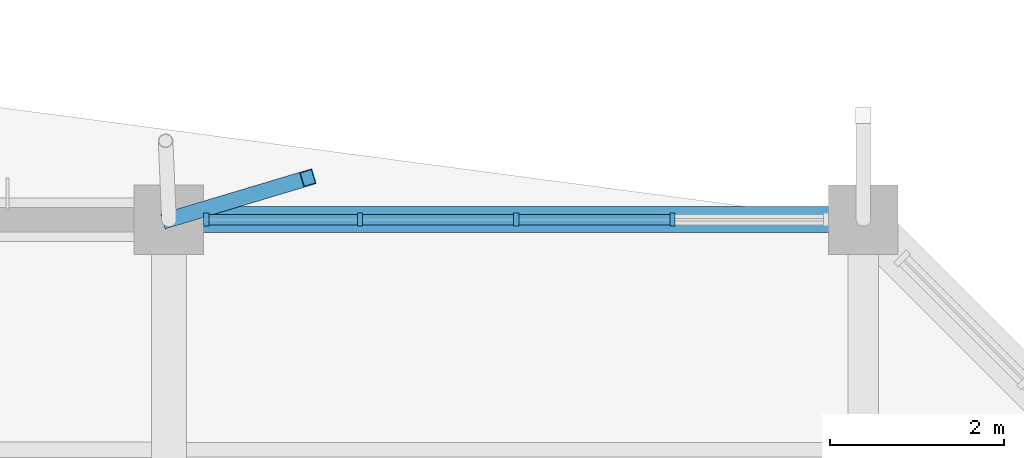
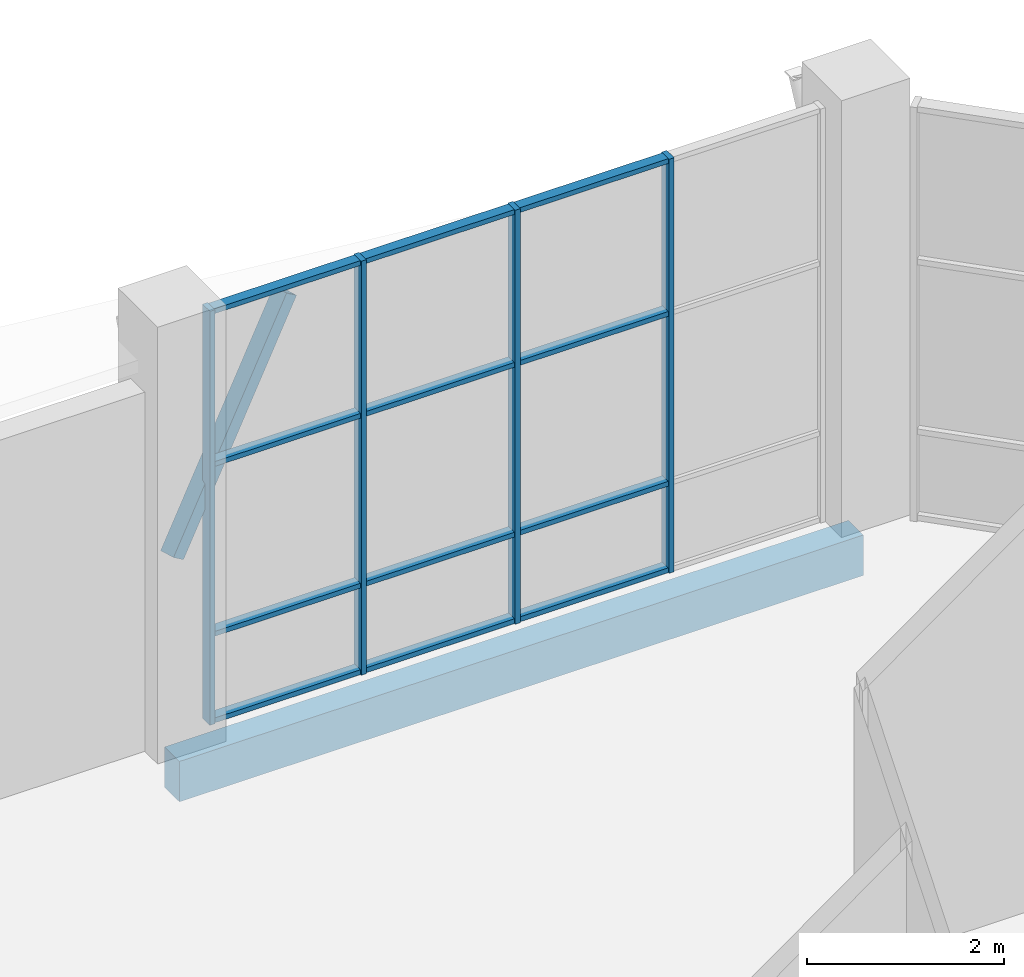
# One storey, part 39 of 122: 17 members, 1 beam, 1 element without a shape of its own.
"""IFC4 building model written with IfcOpenShell, lengths in metres."""

from ifc_helpers import new_model, si_unit, direction, frame, origin, origin_2d, place, context, subcontext, project, spatial, rectangle, hollow_rectangle, extrude, material, material_profile, profile_set, type_object, element, aggregate, save


model = new_model("IFC4")

# Units and contexts
model_context = context("Model", 3, precision=1e-05, world=origin(), true_north=direction((0.0, 1.0)))
body_context = subcontext(model_context, "Body", "Model", "MODEL_VIEW")
ifc_project = project(units=[si_unit("LENGTHUNIT", "METRE"), si_unit("AREAUNIT", "SQUARE_METRE"), si_unit("VOLUMEUNIT", "CUBIC_METRE"), si_unit("PLANEANGLEUNIT", "RADIAN"), si_unit("MASSUNIT", "GRAM", prefix="KILO")], contexts=[model_context])

# Site, building, storey
site_placement = place(None, origin())
site = spatial("IfcSite", under=ifc_project, at=site_placement, CompositionType="ELEMENT")
building_placement = place(site_placement, origin())
building = spatial("IfcBuilding", under=site, at=building_placement, Name="Tenunan Teduh Sports Hall", CompositionType="ELEMENT")
storey_placement = place(building_placement, frame((0.0, 0.0, 5.39990234375)))
storey = spatial("IfcBuildingStorey", under=building, at=storey_placement, Name="L01", CompositionType="ELEMENT", Elevation=5.39990234375)

# Beam
ifc_material_1 = material(Name="Concrete C40/50", Category="concrete")
ifc_material_profile_1 = material_profile(ifc_material_1, rectangle(XDim=0.300048828125, YDim=0.5, at=origin_2d()), Name="RCB 300x500")
ifc_profile_set_1 = profile_set([ifc_material_profile_1], Name="Concrete C40/50")
beam_type = type_object("IfcBeamType", Name="BM-RC-300x500", PredefinedType="BEAM", material=ifc_profile_set_1)
beam_placement = place(storey_placement, frame((62.0, 118.0, -0.510009765625), z_axis=(1.0, 0.0, 0.0), x_axis=(0.0, 1.0, 0.0)))
element("IfcBeam", 1, at=beam_placement, inside=storey, type_object=beam_type, Name="BM-B-01-L01-1178", PredefinedType="BEAM", context=body_context, shape_type="SweptSolid", body=[
    extrude(rectangle(XDim=0.300048828125, YDim=0.5, at=origin_2d()), origin(), (0.0, 0.0, 1.0), 8.0),
])

# Curtain wall, members
ifc_material_2 = material(Name="Anodised aluminium", Category="aluminium")
curtain_wall_type = type_object("IfcCurtainWallType", Name="CW-UNIT-1", PredefinedType="NOTDEFINED", material=ifc_material_2)
curtain_wall_placement = place(storey_placement, origin())
curtain_wall = element("IfcCurtainWall", 2, at=curtain_wall_placement, inside=storey, type_object=curtain_wall_type, Name="CW-CWM-150-L01-207", PredefinedType="NOTDEFINED")
ifc_material_3 = material(Name="Anodised aluminium", Category="aluminium")
ifc_material_profile_2 = material_profile(ifc_material_3, rectangle(XDim=0.06005859375, YDim=0.14990234375, at=origin_2d()), Name="CWM 60x150")
ifc_profile_set_2 = profile_set([ifc_material_profile_2], Name="Anodised aluminium")
member_type_1 = type_object("IfcMemberType", Name="CWM-150", PredefinedType="MULLION", material=ifc_profile_set_2)
member_1_placement = place(storey_placement, frame((62.429931640625, 118.0, 0.0), z_axis=(0.0, 0.0, 1.0), x_axis=(1.0, 0.0, 0.0)))
member_1 = element("IfcMember", 3, at=member_1_placement, type_object=member_type_1, Name="CW-01 mullion 1", PredefinedType="MULLION", context=body_context, shape_type="SweptSolid", body=[
    extrude(rectangle(XDim=0.06005859375, YDim=0.14990234375, at=origin_2d()), origin(), (0.0, 0.0, 1.0), 5.1201171875),
])
member_2_placement = place(storey_placement, frame((64.199951171875, 118.0, 0.0), z_axis=(0.0, 0.0, 1.0), x_axis=(1.0, 0.0, 0.0)))
member_2 = element("IfcMember", 4, at=member_2_placement, type_object=member_type_1, Name="CW-01 mullion 2", PredefinedType="MULLION", context=body_context, shape_type="SweptSolid", body=[
    extrude(rectangle(XDim=0.06005859375, YDim=0.14990234375, at=origin_2d()), origin(), (0.0, 0.0, 1.0), 5.1201171875),
])
member_3_placement = place(storey_placement, frame((66.0, 118.0, 0.0), z_axis=(0.0, 0.0, 1.0), x_axis=(1.0, 0.0, 0.0)))
member_3 = element("IfcMember", 5, at=member_3_placement, type_object=member_type_1, Name="CW-01 mullion 3", PredefinedType="MULLION", context=body_context, shape_type="SweptSolid", body=[
    extrude(rectangle(XDim=0.06005859375, YDim=0.14990234375, at=origin_2d()), origin(), (0.0, 0.0, 1.0), 5.1201171875),
])
member_4_placement = place(storey_placement, frame((67.800048828125, 118.0, 0.0), z_axis=(0.0, 0.0, 1.0), x_axis=(1.0, 0.0, 0.0)))
member_4 = element("IfcMember", 6, at=member_4_placement, type_object=member_type_1, Name="CW-01 mullion 4", PredefinedType="MULLION", context=body_context, shape_type="SweptSolid", body=[
    extrude(rectangle(XDim=0.06005859375, YDim=0.14990234375, at=origin_2d()), origin(), (0.0, 0.0, 1.0), 5.1201171875),
])
ifc_material_4 = material(Name="Anodised aluminium", Category="aluminium")
ifc_material_profile_3 = material_profile(ifc_material_4, rectangle(XDim=0.06005859375, YDim=0.1201171875, at=origin_2d()), Name="CWT 60x120")
ifc_profile_set_3 = profile_set([ifc_material_profile_3], Name="Anodised aluminium")
member_type_2 = type_object("IfcMemberType", Name="CWT-125", PredefinedType="USERDEFINED", material=ifc_profile_set_3)
member_5_placement = place(storey_placement, frame((62.4599609375, 118.0, 0.030029296875), z_axis=(1.0, 0.0, 0.0), x_axis=(0.0, 0.0, 1.0)))
member_5 = element("IfcMember", 7, at=member_5_placement, type_object=member_type_2, Name="CW-01 transom 1.1", ObjectType="TRANSOM", PredefinedType="USERDEFINED", context=body_context, shape_type="SweptSolid", body=[
    extrude(rectangle(XDim=0.06005859375, YDim=0.1201171875, at=origin_2d()), origin(), (0.0, 0.0, 1.0), 1.7099609375),
])
member_6_placement = place(storey_placement, frame((62.4599609375, 118.0, 1.10009765625), z_axis=(1.0, 0.0, 0.0), x_axis=(0.0, 0.0, 1.0)))
member_6 = element("IfcMember", 8, at=member_6_placement, type_object=member_type_2, Name="CW-01 transom 1.2", ObjectType="TRANSOM", PredefinedType="USERDEFINED", context=body_context, shape_type="SweptSolid", body=[
    extrude(rectangle(XDim=0.06005859375, YDim=0.1201171875, at=origin_2d()), origin(), (0.0, 0.0, 1.0), 1.7099609375),
])
member_7_placement = place(storey_placement, frame((62.4599609375, 118.0, 3.2001953125), z_axis=(1.0, 0.0, 0.0), x_axis=(0.0, 0.0, 1.0)))
member_7 = element("IfcMember", 9, at=member_7_placement, type_object=member_type_2, Name="CW-01 transom 1.3", ObjectType="TRANSOM", PredefinedType="USERDEFINED", context=body_context, shape_type="SweptSolid", body=[
    extrude(rectangle(XDim=0.06005859375, YDim=0.1201171875, at=origin_2d()), origin(), (0.0, 0.0, 1.0), 1.7099609375),
])
member_8_placement = place(storey_placement, frame((62.4599609375, 118.0, 5.090087890625), z_axis=(1.0, 0.0, 0.0), x_axis=(0.0, 0.0, 1.0)))
member_8 = element("IfcMember", 10, at=member_8_placement, type_object=member_type_2, Name="CW-01 transom 1.4", ObjectType="TRANSOM", PredefinedType="USERDEFINED", context=body_context, shape_type="SweptSolid", body=[
    extrude(rectangle(XDim=0.06005859375, YDim=0.1201171875, at=origin_2d()), origin(), (0.0, 0.0, 1.0), 1.7099609375),
])
member_9_placement = place(storey_placement, frame((64.22998046875, 118.0, 0.030029296875), z_axis=(1.0, 0.0, 0.0), x_axis=(0.0, 0.0, 1.0)))
member_9 = element("IfcMember", 11, at=member_9_placement, type_object=member_type_2, Name="CW-01 transom 2.1", ObjectType="TRANSOM", PredefinedType="USERDEFINED", context=body_context, shape_type="SweptSolid", body=[
    extrude(rectangle(XDim=0.06005859375, YDim=0.1201171875, at=origin_2d()), origin(), (0.0, 0.0, 1.0), 1.739990234375),
])
member_10_placement = place(storey_placement, frame((64.22998046875, 118.0, 1.10009765625), z_axis=(1.0, 0.0, 0.0), x_axis=(0.0, 0.0, 1.0)))
member_10 = element("IfcMember", 12, at=member_10_placement, type_object=member_type_2, Name="CW-01 transom 2.2", ObjectType="TRANSOM", PredefinedType="USERDEFINED", context=body_context, shape_type="SweptSolid", body=[
    extrude(rectangle(XDim=0.06005859375, YDim=0.1201171875, at=origin_2d()), origin(), (0.0, 0.0, 1.0), 1.739990234375),
])
member_11_placement = place(storey_placement, frame((64.22998046875, 118.0, 3.2001953125), z_axis=(1.0, 0.0, 0.0), x_axis=(0.0, 0.0, 1.0)))
member_11 = element("IfcMember", 13, at=member_11_placement, type_object=member_type_2, Name="CW-01 transom 2.3", ObjectType="TRANSOM", PredefinedType="USERDEFINED", context=body_context, shape_type="SweptSolid", body=[
    extrude(rectangle(XDim=0.06005859375, YDim=0.1201171875, at=origin_2d()), origin(), (0.0, 0.0, 1.0), 1.739990234375),
])
member_12_placement = place(storey_placement, frame((64.22998046875, 118.0, 5.090087890625), z_axis=(1.0, 0.0, 0.0), x_axis=(0.0, 0.0, 1.0)))
member_12 = element("IfcMember", 14, at=member_12_placement, type_object=member_type_2, Name="CW-01 transom 2.4", ObjectType="TRANSOM", PredefinedType="USERDEFINED", context=body_context, shape_type="SweptSolid", body=[
    extrude(rectangle(XDim=0.06005859375, YDim=0.1201171875, at=origin_2d()), origin(), (0.0, 0.0, 1.0), 1.739990234375),
])
member_13_placement = place(storey_placement, frame((66.030029296875, 118.0, 0.030029296875), z_axis=(1.0, 0.0, 0.0), x_axis=(0.0, 0.0, 1.0)))
member_13 = element("IfcMember", 15, at=member_13_placement, type_object=member_type_2, Name="CW-01 transom 3.1", ObjectType="TRANSOM", PredefinedType="USERDEFINED", context=body_context, shape_type="SweptSolid", body=[
    extrude(rectangle(XDim=0.06005859375, YDim=0.1201171875, at=origin_2d()), origin(), (0.0, 0.0, 1.0), 1.739990234375),
])
member_14_placement = place(storey_placement, frame((66.030029296875, 118.0, 1.10009765625), z_axis=(1.0, 0.0, 0.0), x_axis=(0.0, 0.0, 1.0)))
member_14 = element("IfcMember", 16, at=member_14_placement, type_object=member_type_2, Name="CW-01 transom 3.2", ObjectType="TRANSOM", PredefinedType="USERDEFINED", context=body_context, shape_type="SweptSolid", body=[
    extrude(rectangle(XDim=0.06005859375, YDim=0.1201171875, at=origin_2d()), origin(), (0.0, 0.0, 1.0), 1.739990234375),
])
member_15_placement = place(storey_placement, frame((66.030029296875, 118.0, 3.2001953125), z_axis=(1.0, 0.0, 0.0), x_axis=(0.0, 0.0, 1.0)))
member_15 = element("IfcMember", 17, at=member_15_placement, type_object=member_type_2, Name="CW-01 transom 3.3", ObjectType="TRANSOM", PredefinedType="USERDEFINED", context=body_context, shape_type="SweptSolid", body=[
    extrude(rectangle(XDim=0.06005859375, YDim=0.1201171875, at=origin_2d()), origin(), (0.0, 0.0, 1.0), 1.739990234375),
])
member_16_placement = place(storey_placement, frame((66.030029296875, 118.0, 5.090087890625), z_axis=(1.0, 0.0, 0.0), x_axis=(0.0, 0.0, 1.0)))
member_16 = element("IfcMember", 18, at=member_16_placement, type_object=member_type_2, Name="CW-01 transom 3.4", ObjectType="TRANSOM", PredefinedType="USERDEFINED", context=body_context, shape_type="SweptSolid", body=[
    extrude(rectangle(XDim=0.06005859375, YDim=0.1201171875, at=origin_2d()), origin(), (0.0, 0.0, 1.0), 1.739990234375),
])
aggregate(curtain_wall, [member_1, member_2, member_3, member_4, member_5, member_6, member_7, member_8, member_9, member_10, member_11, member_12, member_13, member_14, member_15, member_16])

# Member
ifc_material_5 = material(Name="Steel S355", Category="steel")
ifc_material_profile_4 = material_profile(ifc_material_5, hollow_rectangle(XDim=0.179931640625, YDim=0.179931640625, WallThickness=0.010009765625, at=origin_2d()), Name="SHS 180x180x10.0")
ifc_profile_set_4 = profile_set([ifc_material_profile_4], Name="Steel S355")
member_type_3 = type_object("IfcMemberType", Name="MEM-ST-SHS180", PredefinedType="STRUT", material=ifc_profile_set_4)
member_17_placement = place(storey_placement, frame((62.0, 118.0, 2.2001953125), z_axis=(0.544152840633, 0.163229246977, 0.822954372346), x_axis=(-0.287321069857, 0.957834329525, 0.0)))
element("IfcMember", 19, at=member_17_placement, inside=storey, type_object=member_type_3, Name="MEM-VS-03-L01-1186", PredefinedType="STRUT", context=body_context, shape_type="SweptSolid", body=[
    extrude(hollow_rectangle(XDim=0.179931640625, YDim=0.179931640625, WallThickness=0.010009765625, at=origin_2d()), origin(), (0.0, 0.0, 1.0), 2.9404296875),
])

save(model, "model.ifc")
